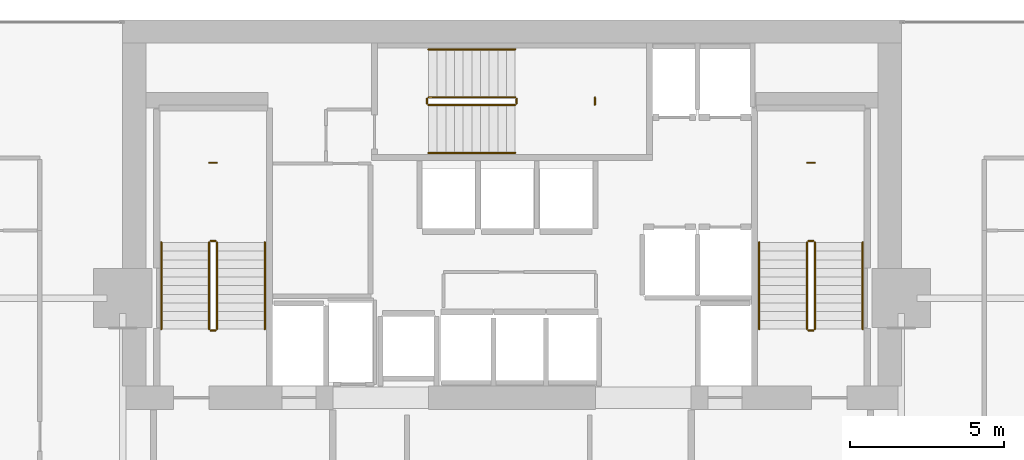
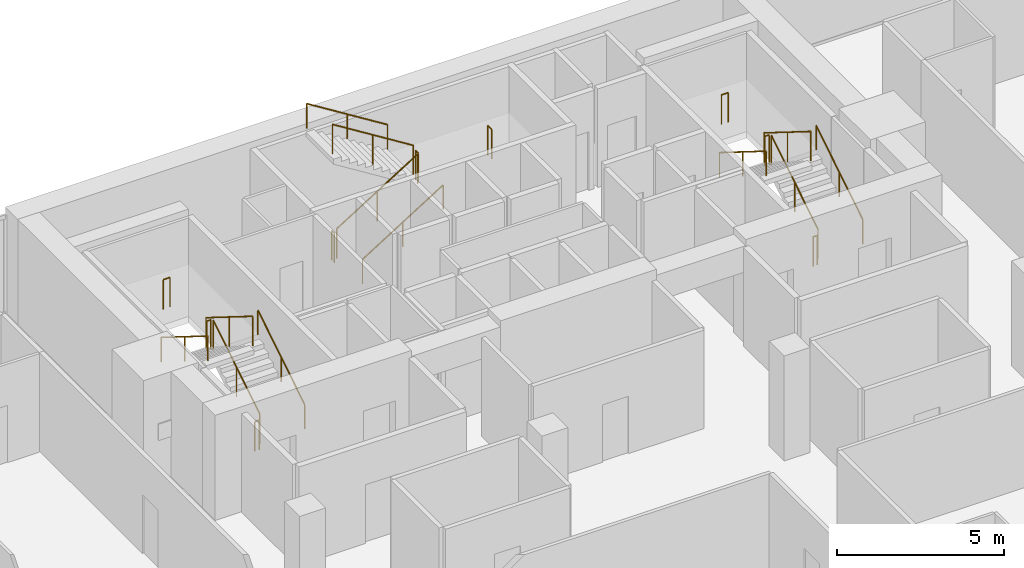
# One storey, part 33 of 33: 21 railings.
"""IFC4 building model written with IfcOpenShell, lengths in metres."""

from ifc_helpers import new_model, si_unit, direction, frame, origin, origin_2d, place, context, subcontext, project, spatial, circle, extrude, material, type_object, element, save


model = new_model("IFC4")

# Units and contexts
model_context = context("Model", 3, precision=1e-05, world=origin(), true_north=direction((0.0, 1.0)))
body_context = subcontext(model_context, "Body", "Model", "MODEL_VIEW")
ifc_project = project(units=[si_unit("LENGTHUNIT", "METRE"), si_unit("AREAUNIT", "SQUARE_METRE"), si_unit("VOLUMEUNIT", "CUBIC_METRE"), si_unit("PLANEANGLEUNIT", "RADIAN"), si_unit("MASSUNIT", "GRAM", prefix="KILO")], contexts=[model_context])

# Site, building, storey
site_placement = place(None, origin())
site = spatial("IfcSite", under=ifc_project, at=site_placement, CompositionType="ELEMENT")
building_placement = place(site_placement, origin())
building = spatial("IfcBuilding", under=site, at=building_placement, Name="Maruvema Waterfront Hotel and Observation Tower", CompositionType="ELEMENT")
storey_placement = place(building_placement, frame((0.0, 0.0, 196.699951171875)))
storey = spatial("IfcBuildingStorey", under=building, at=storey_placement, Name="L48", CompositionType="ELEMENT", Elevation=196.699951171875)

# Railings
ifc_material_1 = material(Name="Brushed stainless steel Grade 316", Category="steel")
railing_type_1 = type_object("IfcRailingType", Name="Ramp Continuous Wall Handrail 920 mm", PredefinedType="HANDRAIL", material=ifc_material_1)
railing_1_placement = place(storey_placement, frame((29.800048828125, 44.0, 0.175048828125)))
element("IfcRailing", 1, at=railing_1_placement, inside=storey, type_object=railing_type_1, Name="L48 ST-01 stair handrail 1", PredefinedType="HANDRAIL", context=body_context, shape_type="SweptSolid", body=[
    extrude(circle(Radius=0.02392578125, at=origin_2d()), frame((0.0, 0.0, 0.89599609375), z_axis=(0.0, 0.848002457836, 0.529992293815), x_axis=(-1.0, 0.0, 0.0)), (0.0, 0.0, 1.0), 3.302001953125),
    extrude(circle(Radius=0.02099609375, at=origin_2d()), origin(), (0.0, 0.0, 1.0), 0.871826171875),
    extrude(circle(Radius=0.02099609375, at=origin_2d()), frame((0.0, 1.39990234375, 0.875)), (0.0, 0.0, 1.0), 0.871826171875),
    extrude(circle(Radius=0.02099609375, at=origin_2d()), frame((0.0, 2.800048828125, 1.75)), (0.0, 0.0, 1.0), 0.871826171875),
])
railing_2_placement = place(storey_placement, frame((26.449951171875, 46.800048828125, 2.10009765625)))
element("IfcRailing", 2, at=railing_2_placement, inside=storey, type_object=railing_type_1, Name="L48 ST-01 stair handrail 2", PredefinedType="HANDRAIL", context=body_context, shape_type="SweptSolid", body=[
    extrude(circle(Radius=0.02392578125, at=origin_2d()), frame((0.0, 0.0, 0.89599609375), z_axis=(0.0, -0.848002457836, 0.529992293815), x_axis=(1.0, 0.0, 0.0)), (0.0, 0.0, 1.0), 3.302001953125),
    extrude(circle(Radius=0.02099609375, at=origin_2d()), origin(), (0.0, 0.0, 1.0), 0.871826171875),
    extrude(circle(Radius=0.02099609375, at=origin_2d()), frame((0.0, -1.39990234375, 0.875)), (0.0, 0.0, 1.0), 0.871826171875),
    extrude(circle(Radius=0.02099609375, at=origin_2d()), frame((0.0, -2.800048828125, 1.75)), (0.0, 0.0, 1.0), 0.871826171875),
])
railing_3_placement = place(storey_placement, frame((35.10009765625, 49.699951171875, 0.175048828125)))
element("IfcRailing", 3, at=railing_3_placement, inside=storey, type_object=railing_type_1, Name="L48 ST-02 stair handrail 1", PredefinedType="HANDRAIL", context=body_context, shape_type="SweptSolid", body=[
    extrude(circle(Radius=0.02392578125, at=origin_2d()), frame((0.0, 0.0, 0.89599609375), z_axis=(0.847981687118, 0.0, 0.530025526095), x_axis=(0.0, 1.0, 0.0)), (0.0, 0.0, 1.0), 3.3017578125),
    extrude(circle(Radius=0.02099609375, at=origin_2d()), origin(), (0.0, 0.0, 1.0), 0.871826171875),
    extrude(circle(Radius=0.02099609375, at=origin_2d()), frame((1.39990234375, 0.0, 0.875)), (0.0, 0.0, 1.0), 0.871826171875),
    extrude(circle(Radius=0.02099609375, at=origin_2d()), frame((2.7998046875, 0.0, 1.75)), (0.0, 0.0, 1.0), 0.871826171875),
])
railing_4_placement = place(storey_placement, frame((37.89990234375, 53.050048828125, 2.10009765625)))
element("IfcRailing", 4, at=railing_4_placement, inside=storey, type_object=railing_type_1, Name="L48 ST-02 stair handrail 2", PredefinedType="HANDRAIL", context=body_context, shape_type="SweptSolid", body=[
    extrude(circle(Radius=0.02392578125, at=origin_2d()), frame((0.0, 0.0, 0.89599609375), z_axis=(-0.847981687118, 0.0, 0.530025526095), x_axis=(0.0, -1.0, 0.0)), (0.0, 0.0, 1.0), 3.3017578125),
    extrude(circle(Radius=0.02099609375, at=origin_2d()), origin(), (0.0, 0.0, 1.0), 0.871826171875),
    extrude(circle(Radius=0.02099609375, at=origin_2d()), frame((-1.39990234375, 0.0, 0.875)), (0.0, 0.0, 1.0), 0.871826171875),
    extrude(circle(Radius=0.02099609375, at=origin_2d()), frame((-2.7998046875, 0.0, 1.75)), (0.0, 0.0, 1.0), 0.871826171875),
])
railing_5_placement = place(storey_placement, frame((49.14990234375, 44.0, 0.175048828125)))
element("IfcRailing", 5, at=railing_5_placement, inside=storey, type_object=railing_type_1, Name="L48 ST-03 stair handrail 1", PredefinedType="HANDRAIL", context=body_context, shape_type="SweptSolid", body=[
    extrude(circle(Radius=0.02392578125, at=origin_2d()), frame((0.0, 0.0, 0.89599609375), z_axis=(0.0, 0.848002457836, 0.529992293815), x_axis=(-1.0, 0.0, 0.0)), (0.0, 0.0, 1.0), 3.302001953125),
    extrude(circle(Radius=0.02099609375, at=origin_2d()), origin(), (0.0, 0.0, 1.0), 0.871826171875),
    extrude(circle(Radius=0.02099609375, at=origin_2d()), frame((0.0, 1.39990234375, 0.875)), (0.0, 0.0, 1.0), 0.871826171875),
    extrude(circle(Radius=0.02099609375, at=origin_2d()), frame((0.0, 2.800048828125, 1.75)), (0.0, 0.0, 1.0), 0.871826171875),
])
railing_6_placement = place(storey_placement, frame((45.800048828125, 46.800048828125, 2.10009765625)))
element("IfcRailing", 6, at=railing_6_placement, inside=storey, type_object=railing_type_1, Name="L48 ST-03 stair handrail 2", PredefinedType="HANDRAIL", context=body_context, shape_type="SweptSolid", body=[
    extrude(circle(Radius=0.02392578125, at=origin_2d()), frame((0.0, 0.0, 0.89599609375), z_axis=(0.0, -0.848002457836, 0.529992293815), x_axis=(1.0, 0.0, 0.0)), (0.0, 0.0, 1.0), 3.302001953125),
    extrude(circle(Radius=0.02099609375, at=origin_2d()), origin(), (0.0, 0.0, 1.0), 0.871826171875),
    extrude(circle(Radius=0.02099609375, at=origin_2d()), frame((0.0, -1.39990234375, 0.875)), (0.0, 0.0, 1.0), 0.871826171875),
    extrude(circle(Radius=0.02099609375, at=origin_2d()), frame((0.0, -2.800048828125, 1.75)), (0.0, 0.0, 1.0), 0.871826171875),
])
ifc_material_2 = material(Name="Brushed stainless steel Grade 316", Category="steel")
railing_type_2 = type_object("IfcRailingType", Name="Ramp and Terrace Guard Balustrade 1100 mm", PredefinedType="BALUSTRADE", material=ifc_material_2)
railing_7_placement = place(storey_placement, frame((28.25, 44.0, 0.175048828125)))
element("IfcRailing", 7, at=railing_7_placement, inside=storey, type_object=railing_type_2, Name="L48 ST-01 stair guard 1", PredefinedType="BALUSTRADE", context=body_context, shape_type="SweptSolid", body=[
    extrude(circle(Radius=0.02392578125, at=origin_2d()), frame((0.0, 0.0, 1.076171875), z_axis=(0.0, 0.848002457836, 0.529992293815), x_axis=(-1.0, 0.0, 0.0)), (0.0, 0.0, 1.0), 3.302001953125),
    extrude(circle(Radius=0.02099609375, at=origin_2d()), origin(), (0.0, 0.0, 1.0), 1.052001953125),
    extrude(circle(Radius=0.02099609375, at=origin_2d()), frame((0.0, 1.39990234375, 0.875)), (0.0, 0.0, 1.0), 1.052001953125),
    extrude(circle(Radius=0.02099609375, at=origin_2d()), frame((0.0, 2.800048828125, 1.75)), (0.0, 0.0, 1.0), 1.052001953125),
])
railing_8_placement = place(storey_placement, frame((28.199951171875, 46.85009765625, 1.925048828125)))
element("IfcRailing", 8, at=railing_8_placement, inside=storey, type_object=railing_type_2, Name="L48 ST-01 stair guard 2", PredefinedType="BALUSTRADE", context=body_context, shape_type="SweptSolid", body=[
    extrude(circle(Radius=0.02392578125, at=origin_2d()), frame((0.0, 0.0, 1.076171875), z_axis=(-1.0, 0.0, 0.0), x_axis=(0.0, -1.0, 0.0)), (0.0, 0.0, 1.0), 0.14990234375),
    extrude(circle(Radius=0.02099609375, at=origin_2d()), origin(), (0.0, 0.0, 1.0), 1.052001953125),
    extrude(circle(Radius=0.02099609375, at=origin_2d()), frame((-0.14990234375, 0.0, 0.0)), (0.0, 0.0, 1.0), 1.052001953125),
])
railing_9_placement = place(storey_placement, frame((28.0, 46.800048828125, 2.10009765625)))
element("IfcRailing", 9, at=railing_9_placement, inside=storey, type_object=railing_type_2, Name="L48 ST-01 stair guard 3", PredefinedType="BALUSTRADE", context=body_context, shape_type="SweptSolid", body=[
    extrude(circle(Radius=0.02392578125, at=origin_2d()), frame((0.0, 0.0, 1.076171875), z_axis=(0.0, -0.848002457836, 0.529992293815), x_axis=(1.0, 0.0, 0.0)), (0.0, 0.0, 1.0), 3.302001953125),
    extrude(circle(Radius=0.02099609375, at=origin_2d()), origin(), (0.0, 0.0, 1.0), 1.052001953125),
    extrude(circle(Radius=0.02099609375, at=origin_2d()), frame((0.0, -1.39990234375, 0.875)), (0.0, 0.0, 1.0), 1.052001953125),
    extrude(circle(Radius=0.02099609375, at=origin_2d()), frame((0.0, -2.800048828125, 1.75)), (0.0, 0.0, 1.0), 1.052001953125),
])
railing_10_placement = place(storey_placement, frame((28.199951171875, 43.949951171875, 0.0)))
element("IfcRailing", 10, at=railing_10_placement, inside=storey, type_object=railing_type_2, Name="L48 ST-01 stair guard 4", PredefinedType="BALUSTRADE", context=body_context, shape_type="SweptSolid", body=[
    extrude(circle(Radius=0.02392578125, at=origin_2d()), frame((0.0, 0.0, 1.076171875), z_axis=(-1.0, 0.0, 0.0), x_axis=(0.0, -1.0, 0.0)), (0.0, 0.0, 1.0), 0.14990234375),
    extrude(circle(Radius=0.02099609375, at=origin_2d()), origin(), (0.0, 0.0, 1.0), 1.052001953125),
    extrude(circle(Radius=0.02099609375, at=origin_2d()), frame((-0.14990234375, 0.0, 0.0)), (0.0, 0.0, 1.0), 1.052001953125),
])
railing_11_placement = place(storey_placement, frame((28.239990234375, 49.3798828125, 1.925048828125)))
element("IfcRailing", 11, at=railing_11_placement, inside=storey, type_object=railing_type_2, Name="L48 ST-01 Half-Landing Slot Guard", PredefinedType="BALUSTRADE", context=body_context, shape_type="SweptSolid", body=[
    extrude(circle(Radius=0.02392578125, at=origin_2d()), frame((0.0, 0.0, 1.076171875), z_axis=(-1.0, 0.0, 0.0), x_axis=(0.0, -1.0, 0.0)), (0.0, 0.0, 1.0), 0.22998046875),
    extrude(circle(Radius=0.02099609375, at=origin_2d()), origin(), (0.0, 0.0, 1.0), 1.052001953125),
    extrude(circle(Radius=0.02099609375, at=origin_2d()), frame((-0.22998046875, 0.0, 0.0)), (0.0, 0.0, 1.0), 1.052001953125),
])
railing_12_placement = place(storey_placement, frame((35.10009765625, 51.25, 0.175048828125)))
element("IfcRailing", 12, at=railing_12_placement, inside=storey, type_object=railing_type_2, Name="L48 ST-02 stair guard 1", PredefinedType="BALUSTRADE", context=body_context, shape_type="SweptSolid", body=[
    extrude(circle(Radius=0.02392578125, at=origin_2d()), frame((0.0, 0.0, 1.076171875), z_axis=(0.847981687118, 0.0, 0.530025526095), x_axis=(0.0, 1.0, 0.0)), (0.0, 0.0, 1.0), 3.3017578125),
    extrude(circle(Radius=0.02099609375, at=origin_2d()), origin(), (0.0, 0.0, 1.0), 1.052001953125),
    extrude(circle(Radius=0.02099609375, at=origin_2d()), frame((1.39990234375, 0.0, 0.875)), (0.0, 0.0, 1.0), 1.052001953125),
    extrude(circle(Radius=0.02099609375, at=origin_2d()), frame((2.7998046875, 0.0, 1.75)), (0.0, 0.0, 1.0), 1.052001953125),
])
railing_13_placement = place(storey_placement, frame((37.949951171875, 51.300048828125, 1.925048828125)))
element("IfcRailing", 13, at=railing_13_placement, inside=storey, type_object=railing_type_2, Name="L48 ST-02 stair guard 2", PredefinedType="BALUSTRADE", context=body_context, shape_type="SweptSolid", body=[
    extrude(circle(Radius=0.02392578125, at=origin_2d()), frame((0.0, 0.0, 1.076171875), z_axis=(0.0, 1.0, 0.0), x_axis=(-1.0, 0.0, 0.0)), (0.0, 0.0, 1.0), 0.14990234375),
    extrude(circle(Radius=0.02099609375, at=origin_2d()), origin(), (0.0, 0.0, 1.0), 1.052001953125),
    extrude(circle(Radius=0.02099609375, at=origin_2d()), frame((0.0, 0.14990234375, 0.0)), (0.0, 0.0, 1.0), 1.052001953125),
])
railing_14_placement = place(storey_placement, frame((37.89990234375, 51.5, 2.10009765625)))
element("IfcRailing", 14, at=railing_14_placement, inside=storey, type_object=railing_type_2, Name="L48 ST-02 stair guard 3", PredefinedType="BALUSTRADE", context=body_context, shape_type="SweptSolid", body=[
    extrude(circle(Radius=0.02392578125, at=origin_2d()), frame((0.0, 0.0, 1.076171875), z_axis=(-0.847981687118, 0.0, 0.530025526095), x_axis=(0.0, -1.0, 0.0)), (0.0, 0.0, 1.0), 3.3017578125),
    extrude(circle(Radius=0.02099609375, at=origin_2d()), origin(), (0.0, 0.0, 1.0), 1.052001953125),
    extrude(circle(Radius=0.02099609375, at=origin_2d()), frame((-1.39990234375, 0.0, 0.875)), (0.0, 0.0, 1.0), 1.052001953125),
    extrude(circle(Radius=0.02099609375, at=origin_2d()), frame((-2.7998046875, 0.0, 1.75)), (0.0, 0.0, 1.0), 1.052001953125),
])
railing_15_placement = place(storey_placement, frame((35.050048828125, 51.300048828125, 0.0)))
element("IfcRailing", 15, at=railing_15_placement, inside=storey, type_object=railing_type_2, Name="L48 ST-02 stair guard 4", PredefinedType="BALUSTRADE", context=body_context, shape_type="SweptSolid", body=[
    extrude(circle(Radius=0.02392578125, at=origin_2d()), frame((0.0, 0.0, 1.076171875), z_axis=(0.0, 1.0, 0.0), x_axis=(-1.0, 0.0, 0.0)), (0.0, 0.0, 1.0), 0.14990234375),
    extrude(circle(Radius=0.02099609375, at=origin_2d()), origin(), (0.0, 0.0, 1.0), 1.052001953125),
    extrude(circle(Radius=0.02099609375, at=origin_2d()), frame((0.0, 0.14990234375, 0.0)), (0.0, 0.0, 1.0), 1.052001953125),
])
railing_16_placement = place(storey_placement, frame((40.47998046875, 51.260009765625, 1.925048828125)))
element("IfcRailing", 16, at=railing_16_placement, inside=storey, type_object=railing_type_2, Name="L48 ST-02 Half-Landing Slot Guard", PredefinedType="BALUSTRADE", context=body_context, shape_type="SweptSolid", body=[
    extrude(circle(Radius=0.02392578125, at=origin_2d()), frame((0.0, 0.0, 1.076171875), z_axis=(0.0, 1.0, 0.0), x_axis=(-1.0, 0.0, 0.0)), (0.0, 0.0, 1.0), 0.22998046875),
    extrude(circle(Radius=0.02099609375, at=origin_2d()), origin(), (0.0, 0.0, 1.0), 1.052001953125),
    extrude(circle(Radius=0.02099609375, at=origin_2d()), frame((0.0, 0.22998046875, 0.0)), (0.0, 0.0, 1.0), 1.052001953125),
])
railing_17_placement = place(storey_placement, frame((47.60009765625, 44.0, 0.175048828125)))
element("IfcRailing", 17, at=railing_17_placement, inside=storey, type_object=railing_type_2, Name="L48 ST-03 stair guard 1", PredefinedType="BALUSTRADE", context=body_context, shape_type="SweptSolid", body=[
    extrude(circle(Radius=0.02392578125, at=origin_2d()), frame((0.0, 0.0, 1.076171875), z_axis=(0.0, 0.848002457836, 0.529992293815), x_axis=(-1.0, 0.0, 0.0)), (0.0, 0.0, 1.0), 3.302001953125),
    extrude(circle(Radius=0.02099609375, at=origin_2d()), origin(), (0.0, 0.0, 1.0), 1.052001953125),
    extrude(circle(Radius=0.02099609375, at=origin_2d()), frame((0.0, 1.39990234375, 0.875)), (0.0, 0.0, 1.0), 1.052001953125),
    extrude(circle(Radius=0.02099609375, at=origin_2d()), frame((0.0, 2.800048828125, 1.75)), (0.0, 0.0, 1.0), 1.052001953125),
])
railing_18_placement = place(storey_placement, frame((47.550048828125, 46.85009765625, 1.925048828125)))
element("IfcRailing", 18, at=railing_18_placement, inside=storey, type_object=railing_type_2, Name="L48 ST-03 stair guard 2", PredefinedType="BALUSTRADE", context=body_context, shape_type="SweptSolid", body=[
    extrude(circle(Radius=0.02392578125, at=origin_2d()), frame((0.0, 0.0, 1.076171875), z_axis=(-1.0, 0.0, 0.0), x_axis=(0.0, -1.0, 0.0)), (0.0, 0.0, 1.0), 0.150146484375),
    extrude(circle(Radius=0.02099609375, at=origin_2d()), origin(), (0.0, 0.0, 1.0), 1.052001953125),
    extrude(circle(Radius=0.02099609375, at=origin_2d()), frame((-0.150146484375, 0.0, 0.0)), (0.0, 0.0, 1.0), 1.052001953125),
])
railing_19_placement = place(storey_placement, frame((47.35009765625, 46.800048828125, 2.10009765625)))
element("IfcRailing", 19, at=railing_19_placement, inside=storey, type_object=railing_type_2, Name="L48 ST-03 stair guard 3", PredefinedType="BALUSTRADE", context=body_context, shape_type="SweptSolid", body=[
    extrude(circle(Radius=0.02392578125, at=origin_2d()), frame((0.0, 0.0, 1.076171875), z_axis=(0.0, -0.848002457836, 0.529992293815), x_axis=(1.0, 0.0, 0.0)), (0.0, 0.0, 1.0), 3.302001953125),
    extrude(circle(Radius=0.02099609375, at=origin_2d()), origin(), (0.0, 0.0, 1.0), 1.052001953125),
    extrude(circle(Radius=0.02099609375, at=origin_2d()), frame((0.0, -1.39990234375, 0.875)), (0.0, 0.0, 1.0), 1.052001953125),
    extrude(circle(Radius=0.02099609375, at=origin_2d()), frame((0.0, -2.800048828125, 1.75)), (0.0, 0.0, 1.0), 1.052001953125),
])
railing_20_placement = place(storey_placement, frame((47.550048828125, 43.949951171875, 0.0)))
element("IfcRailing", 20, at=railing_20_placement, inside=storey, type_object=railing_type_2, Name="L48 ST-03 stair guard 4", PredefinedType="BALUSTRADE", context=body_context, shape_type="SweptSolid", body=[
    extrude(circle(Radius=0.02392578125, at=origin_2d()), frame((0.0, 0.0, 1.076171875), z_axis=(-1.0, 0.0, 0.0), x_axis=(0.0, -1.0, 0.0)), (0.0, 0.0, 1.0), 0.150146484375),
    extrude(circle(Radius=0.02099609375, at=origin_2d()), origin(), (0.0, 0.0, 1.0), 1.052001953125),
    extrude(circle(Radius=0.02099609375, at=origin_2d()), frame((-0.150146484375, 0.0, 0.0)), (0.0, 0.0, 1.0), 1.052001953125),
])
railing_21_placement = place(storey_placement, frame((47.590087890625, 49.3798828125, 1.925048828125)))
element("IfcRailing", 21, at=railing_21_placement, inside=storey, type_object=railing_type_2, Name="L48 ST-03 Half-Landing Slot Guard", PredefinedType="BALUSTRADE", context=body_context, shape_type="SweptSolid", body=[
    extrude(circle(Radius=0.02392578125, at=origin_2d()), frame((0.0, 0.0, 1.076171875), z_axis=(-1.0, 0.0, 0.0), x_axis=(0.0, -1.0, 0.0)), (0.0, 0.0, 1.0), 0.22998046875),
    extrude(circle(Radius=0.02099609375, at=origin_2d()), origin(), (0.0, 0.0, 1.0), 1.052001953125),
    extrude(circle(Radius=0.02099609375, at=origin_2d()), frame((-0.22998046875, 0.0, 0.0)), (0.0, 0.0, 1.0), 1.052001953125),
])

save(model, "model.ifc")
